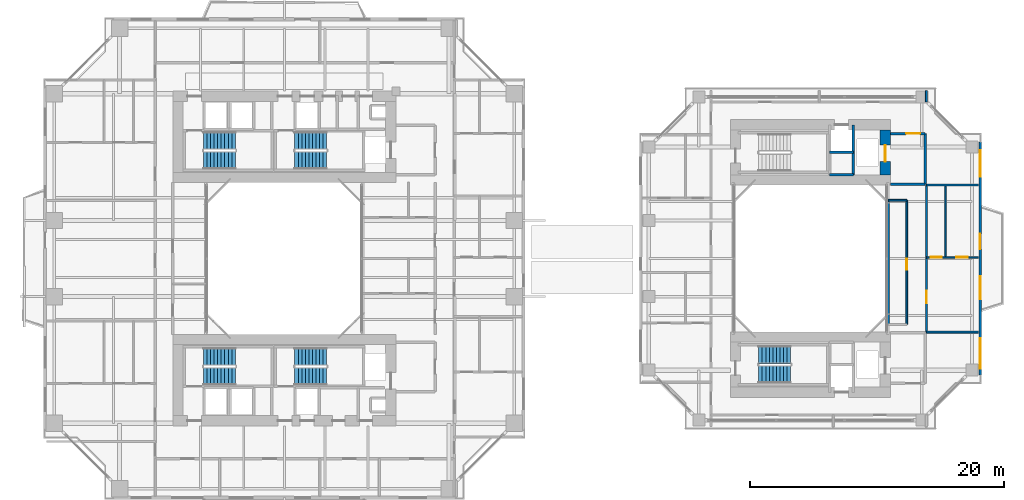
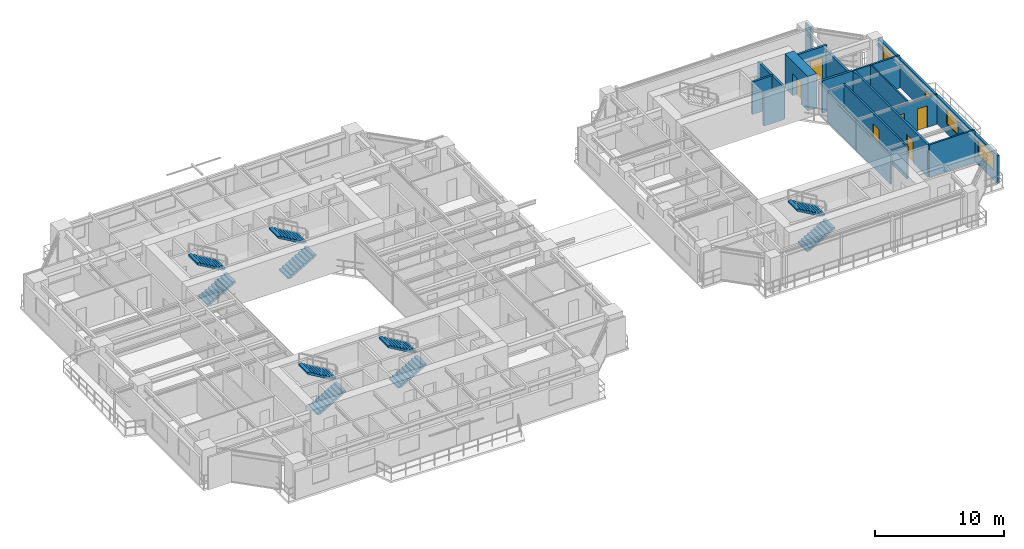
# One storey, part 17 of 23: 17 walls, 10 stair flights, 7 doors, 3 windows, 10 openings, 5 elements without a shape of their own.
"""IFC4 building model written with IfcOpenShell, lengths in metres."""

from ifc_helpers import new_model, si_unit, direction, frame, frame_2d, origin, place, context, subcontext, project, spatial, polyline, rectangle, outline, extrude, source, transform, mapped, material, layer, layer_set, type_object, element, fill, aggregate, save


model = new_model("IFC4")

# Units and contexts
model_context = context("Model", 3, precision=1e-05, world=origin(), true_north=direction((0.0, 1.0)))
body_context = subcontext(model_context, "Body", "Model", "MODEL_VIEW")
ifc_project = project(units=[si_unit("LENGTHUNIT", "METRE"), si_unit("AREAUNIT", "SQUARE_METRE"), si_unit("VOLUMEUNIT", "CUBIC_METRE"), si_unit("PLANEANGLEUNIT", "RADIAN"), si_unit("MASSUNIT", "GRAM", prefix="KILO"), si_unit("THERMODYNAMICTEMPERATUREUNIT", "KELVIN"), si_unit("POWERUNIT", "WATT")], contexts=[model_context])

# Site, building, storey
site_placement = place(None, origin())
site = spatial("IfcSite", under=ifc_project, at=site_placement, CompositionType="ELEMENT")
building_placement = place(site_placement, origin())
building = spatial("IfcBuilding", under=site, at=building_placement, Name="Qiaomeng Ring Towers", CompositionType="ELEMENT")
storey_placement = place(building_placement, frame((0.0, 0.0, 50.25)))
storey = spatial("IfcBuildingStorey", under=building, at=storey_placement, Name="L13", CompositionType="ELEMENT", Elevation=50.25)

# Wall, openings, windows, door
ifc_material_1 = material(Name="Precast concrete C40", Category="concrete")
ifc_layer_1 = layer(ifc_material_1, 0.219970703125, Name="Precast concrete C40")
ifc_layer_set_1 = layer_set([ifc_layer_1], Name="Precast concrete C40")
wall_type_1 = type_object("IfcWallType", Name="ARC-WL-EW2", PredefinedType="STANDARD", material=ifc_layer_set_1)
wall_1_placement = place(storey_placement, frame((73.889892578125, 13.800048828125, 0.0), z_axis=(0.0, 0.0, 1.0), x_axis=(0.0, 1.0, 0.0)))
wall_1 = element("IfcWall", 1, at=wall_1_placement, inside=storey, type_object=wall_type_1, Name="L13 Companion East Wall", PredefinedType="STANDARD", context=body_context, shape_type="SweptSolid", body=[
    extrude(rectangle(XDim=18.39990234375, YDim=0.219970703125, at=frame_2d((9.199951171875, 0.0))), origin(), (0.0, 0.0, 1.0), 2.610107421875),
])
opening_1_placement = place(wall_1_placement, frame((9.949951171875, 0.0, 0.0)))
opening_1 = element("IfcOpeningElement", 2, at=opening_1_placement, cuts=wall_1, Name="Opening BD1", PredefinedType="OPENING", context=body_context, shape_type="SweptSolid", body=[
    extrude(rectangle(XDim=1.199951171875, YDim=2.10009765625, at=frame_2d((0.60009765625, 1.050048828125))), frame((0.0, 0.119873046875, 0.0), z_axis=(0.0, -1.0, 0.0), x_axis=(1.0, 0.0, 0.0)), (0.0, 0.0, 1.0), 0.239990234375),
])
opening_2_placement = place(wall_1_placement, frame((0.507568359375, 0.0, 0.89990234375)))
opening_2 = element("IfcOpeningElement", 3, at=opening_2_placement, cuts=wall_1, Name="Opening WN6", PredefinedType="OPENING", context=body_context, shape_type="SweptSolid", body=[
    extrude(rectangle(XDim=2.39990234375, YDim=1.5, at=frame_2d((1.199951171875, 0.75))), frame((0.0, 0.119873046875, 0.0), z_axis=(0.0, -1.0, 0.0), x_axis=(1.0, 0.0, 0.0)), (0.0, 0.0, 1.0), 0.239990234375),
])
opening_3_placement = place(wall_1_placement, frame((6.0, 0.0, 0.89990234375)))
opening_3 = element("IfcOpeningElement", 4, at=opening_3_placement, cuts=wall_1, Name="Opening WN1", PredefinedType="OPENING", context=body_context, shape_type="SweptSolid", body=[
    extrude(rectangle(XDim=1.800048828125, YDim=1.449951171875, at=frame_2d((0.89990234375, 0.72509765625))), frame((0.0, 0.119873046875, 0.0), z_axis=(0.0, -1.0, 0.0), x_axis=(1.0, 0.0, 0.0)), (0.0, 0.0, 1.0), 0.239990234375),
])
opening_4_placement = place(wall_1_placement, frame((15.642578125, 0.0, 0.89990234375)))
opening_4 = element("IfcOpeningElement", 5, at=opening_4_placement, cuts=wall_1, Name="Opening WN4", PredefinedType="OPENING", context=body_context, shape_type="SweptSolid", body=[
    extrude(rectangle(XDim=2.10009765625, YDim=1.5, at=frame_2d((1.050048828125, 0.75))), frame((0.0, 0.119873046875, 0.0), z_axis=(0.0, -1.0, 0.0), x_axis=(1.0, 0.0, 0.0)), (0.0, 0.0, 1.0), 0.239990234375),
])
ifc_material_2 = material(Name="Low-E dark-grey laminated double glazing", Category="glass")
window_type_1 = type_object("IfcWindowType", Name="ARC-WN-4", PartitioningType="TRIPLE_PANEL_VERTICAL", PredefinedType="WINDOW", material=ifc_material_2)
shared_shape_1 = source(origin(), body_context, "Body", "SweptSolid", [
    extrude(rectangle(XDim=2.10009765625, YDim=1.5, at=frame_2d((1.050048828125, 0.75))), frame((0.0, 0.030029296875, 0.0), z_axis=(0.0, -1.0, 0.0), x_axis=(1.0, 0.0, 0.0)), (0.0, 0.0, 1.0), 0.06005859375),
])
window_1_placement = place(opening_4_placement, origin())
window_1 = element("IfcWindow", 6, at=window_1_placement, inside=storey, type_object=window_type_1, Name="L13 Exterior Window WN4", OverallHeight=1.5, OverallWidth=2.10009765625, PartitioningType="TRIPLE_PANEL_VERTICAL", PredefinedType="WINDOW", context=body_context, shape_type="MappedRepresentation", body=[
    mapped(shared_shape_1, transform((0.0, 0.0, 0.0), x_axis=(1.0, 0.0, 0.0), y_axis=(0.0, 1.0, 0.0), z_axis=(0.0, 0.0, 1.0), scale=1.0)),
])
fill(opening_4, window_1)
window_type_2 = type_object("IfcWindowType", Name="ARC-WN-1", PartitioningType="DOUBLE_PANEL_VERTICAL", PredefinedType="WINDOW", material=ifc_material_2)
shared_shape_2 = source(origin(), body_context, "Body", "SweptSolid", [
    extrude(rectangle(XDim=1.800048828125, YDim=1.449951171875, at=frame_2d((0.89990234375, 0.72509765625))), frame((0.0, 0.030029296875, 0.0), z_axis=(0.0, -1.0, 0.0), x_axis=(1.0, 0.0, 0.0)), (0.0, 0.0, 1.0), 0.06005859375),
])
window_2_placement = place(opening_3_placement, origin())
window_2 = element("IfcWindow", 7, at=window_2_placement, inside=storey, type_object=window_type_2, Name="L13 Exterior Window WN1", OverallHeight=1.449951171875, OverallWidth=1.800048828125, PartitioningType="DOUBLE_PANEL_VERTICAL", PredefinedType="WINDOW", context=body_context, shape_type="MappedRepresentation", body=[
    mapped(shared_shape_2, transform((0.0, 0.0, 0.0), x_axis=(1.0, 0.0, 0.0), y_axis=(0.0, 1.0, 0.0), z_axis=(0.0, 0.0, 1.0), scale=1.0)),
])
fill(opening_3, window_2)
door_type_1 = type_object("IfcDoorType", Name="ARC-DR-BD1", OperationType="NOTDEFINED", PredefinedType="DOOR", material=ifc_material_2)
shared_shape_3 = source(origin(), body_context, "Body", "SweptSolid", [
    extrude(rectangle(XDim=1.199951171875, YDim=2.10009765625, at=frame_2d((0.60009765625, 1.050048828125))), frame((0.0, 0.02490234375, 0.0), z_axis=(0.0, -1.0, 0.0), x_axis=(1.0, 0.0, 0.0)), (0.0, 0.0, 1.0), 0.050048828125),
])
door_1_placement = place(opening_1_placement, origin())
door_1 = element("IfcDoor", 8, at=door_1_placement, inside=storey, type_object=door_type_1, Name="L13 Companion East Balcony Door", OperationType="SINGLE_SWING_LEFT", OverallHeight=2.10009765625, OverallWidth=1.199951171875, PredefinedType="DOOR", context=body_context, shape_type="MappedRepresentation", body=[
    mapped(shared_shape_3, transform((0.0, 0.0, 0.0), x_axis=(1.0, 0.0, 0.0), y_axis=(0.0, 1.0, 0.0), z_axis=(0.0, 0.0, 1.0), scale=1.0)),
])
fill(opening_1, door_1)
window_type_3 = type_object("IfcWindowType", Name="ARC-WN-6", PartitioningType="TRIPLE_PANEL_VERTICAL", PredefinedType="WINDOW", material=ifc_material_2)
shared_shape_4 = source(origin(), body_context, "Body", "SweptSolid", [
    extrude(rectangle(XDim=2.39990234375, YDim=1.5, at=frame_2d((1.199951171875, 0.75))), frame((0.0, 0.030029296875, 0.0), z_axis=(0.0, -1.0, 0.0), x_axis=(1.0, 0.0, 0.0)), (0.0, 0.0, 1.0), 0.06005859375),
])
window_3_placement = place(opening_2_placement, origin())
window_3 = element("IfcWindow", 9, at=window_3_placement, inside=storey, type_object=window_type_3, Name="L13 Exterior Window WN6", OverallHeight=1.5, OverallWidth=2.39990234375, PartitioningType="TRIPLE_PANEL_VERTICAL", PredefinedType="WINDOW", context=body_context, shape_type="MappedRepresentation", body=[
    mapped(shared_shape_4, transform((0.0, 0.0, 0.0), x_axis=(1.0, 0.0, 0.0), y_axis=(0.0, 1.0, 0.0), z_axis=(0.0, 0.0, 1.0), scale=1.0)),
])
fill(opening_2, window_3)

# Walls
ifc_material_3 = material(Name="Autoclaved aerated concrete block", Category="concrete")
ifc_layer_2 = layer(ifc_material_3, 0.199951171875, Name="Autoclaved aerated concrete block")
ifc_layer_set_2 = layer_set([ifc_layer_2], Name="Autoclaved aerated concrete block")
wall_type_2 = type_object("IfcWallType", Name="ARC-WL-PW1", PredefinedType="PARTITIONING", material=ifc_layer_set_2)
wall_2_placement = place(storey_placement, frame((66.800048828125, 28.85009765625, 0.0), z_axis=(0.0, 0.0, 1.0), x_axis=(1.0, 0.0, 0.0)))
element("IfcWall", 10, at=wall_2_placement, inside=storey, type_object=wall_type_2, Name="L13 Interior Wall PW1", PredefinedType="PARTITIONING", context=body_context, shape_type="SweptSolid", body=[
    extrude(rectangle(XDim=2.75, YDim=0.199951171875, at=frame_2d((1.375, 0.0))), origin(), (0.0, 0.0, 1.0), 3.070068359375),
])
wall_3_placement = place(storey_placement, frame((69.550048828125, 28.85009765625, 0.0), z_axis=(0.0, 0.0, 1.0), x_axis=(0.0, 1.0, 0.0)))
element("IfcWall", 11, at=wall_3_placement, inside=storey, type_object=wall_type_2, Name="L13 Interior Wall PW1", PredefinedType="PARTITIONING", context=body_context, shape_type="SweptSolid", body=[
    extrude(rectangle(XDim=4.0, YDim=0.199951171875, at=frame_2d((2.0, 0.0))), origin(), (0.0, 0.0, 1.0), 2.614990234375),
])

# Wall, opening, door
wall_4_placement = place(storey_placement, frame((66.800048828125, 32.85009765625, 0.0), z_axis=(0.0, 0.0, 1.0), x_axis=(1.0, 0.0, 0.0)))
wall_4 = element("IfcWall", 12, at=wall_4_placement, inside=storey, type_object=wall_type_2, Name="L13 Interior Wall PW1", PredefinedType="PARTITIONING", context=body_context, shape_type="SweptSolid", body=[
    extrude(rectangle(XDim=2.75, YDim=0.199951171875, at=frame_2d((1.375, 0.0))), origin(), (0.0, 0.0, 1.0), 3.070068359375),
])
opening_5_placement = place(wall_4_placement, frame((1.25, 0.0, 0.0)))
opening_5 = element("IfcOpeningElement", 13, at=opening_5_placement, cuts=wall_4, Name="Opening FD3", PredefinedType="OPENING", context=body_context, shape_type="SweptSolid", body=[
    extrude(rectangle(XDim=1.10009765625, YDim=2.050048828125, at=frame_2d((0.550048828125, 1.02490234375))), frame((0.0, 0.10986328125, 0.0), z_axis=(0.0, -1.0, 0.0), x_axis=(1.0, 0.0, 0.0)), (0.0, 0.0, 1.0), 0.219970703125),
])
ifc_material_4 = material(Name="Galvanised steel", Category="steel")
door_type_2 = type_object("IfcDoorType", Name="ARC-DR-FD3", OperationType="NOTDEFINED", PredefinedType="DOOR", material=ifc_material_4)
shared_shape_5 = source(origin(), body_context, "Body", "SweptSolid", [
    extrude(rectangle(XDim=1.10009765625, YDim=2.050048828125, at=frame_2d((0.550048828125, 1.02490234375))), frame((0.0, 0.02490234375, 0.0), z_axis=(0.0, -1.0, 0.0), x_axis=(1.0, 0.0, 0.0)), (0.0, 0.0, 1.0), 0.050048828125),
])
door_2_placement = place(opening_5_placement, origin())
door_2 = element("IfcDoor", 14, at=door_2_placement, inside=storey, type_object=door_type_2, Name="L13 Door FD3", OperationType="SINGLE_SWING_LEFT", OverallHeight=2.050048828125, OverallWidth=1.10009765625, PredefinedType="DOOR", context=body_context, shape_type="MappedRepresentation", body=[
    mapped(shared_shape_5, transform((0.0, 0.0, 0.0), x_axis=(1.0, 0.0, 0.0), y_axis=(0.0, 1.0, 0.0), z_axis=(0.0, 0.0, 1.0), scale=1.0)),
])
fill(opening_5, door_2)

ifc_layer_3 = layer(ifc_material_3, 0.179931640625, Name="Autoclaved aerated concrete block")
ifc_layer_set_3 = layer_set([ifc_layer_3], Name="Autoclaved aerated concrete block")
wall_type_3 = type_object("IfcWallType", Name="ARC-WL-PW2", PredefinedType="PARTITIONING", material=ifc_layer_set_3)
wall_5_placement = place(storey_placement, frame((69.64990234375, 17.199951171875, 0.0), z_axis=(0.0, 0.0, 1.0), x_axis=(0.0, 1.0, 0.0)))
wall_5 = element("IfcWall", 15, at=wall_5_placement, inside=storey, type_object=wall_type_3, Name="L13 Interior Wall PW2", PredefinedType="PARTITIONING", context=body_context, shape_type="SweptSolid", body=[
    extrude(rectangle(XDim=11.60009765625, YDim=0.179931640625, at=frame_2d((5.800048828125, 0.0))), origin(), (0.0, 0.0, 1.0), 3.070068359375),
])
opening_6_placement = place(wall_5_placement, frame((2.260009765625, 0.0, 0.0)))
opening_6 = element("IfcOpeningElement", 16, at=opening_6_placement, cuts=wall_5, Name="Opening FD4", PredefinedType="OPENING", context=body_context, shape_type="SweptSolid", body=[
    extrude(rectangle(XDim=1.0, YDim=2.050048828125, at=frame_2d((0.5, 1.02490234375))), frame((0.0, 0.099853515625, 0.0), z_axis=(0.0, -1.0, 0.0), x_axis=(1.0, 0.0, 0.0)), (0.0, 0.0, 1.0), 0.199951171875),
])
ifc_material_5 = material(Name="Engineered fire-rated oak timber", Category="wood")
door_type_3 = type_object("IfcDoorType", Name="ARC-DR-FD4", OperationType="NOTDEFINED", PredefinedType="DOOR", material=ifc_material_5)
shared_shape_6 = source(origin(), body_context, "Body", "SweptSolid", [
    extrude(rectangle(XDim=1.0, YDim=2.050048828125, at=frame_2d((0.5, 1.02490234375))), frame((0.0, 0.02490234375, 0.0), z_axis=(0.0, -1.0, 0.0), x_axis=(1.0, 0.0, 0.0)), (0.0, 0.0, 1.0), 0.050048828125),
])
door_3_placement = place(opening_6_placement, origin())
door_3 = element("IfcDoor", 17, at=door_3_placement, inside=storey, type_object=door_type_3, Name="L13 Door FD4", OperationType="SINGLE_SWING_LEFT", OverallHeight=2.050048828125, OverallWidth=1.0, PredefinedType="DOOR", context=body_context, shape_type="MappedRepresentation", body=[
    mapped(shared_shape_6, transform((0.0, 0.0, 0.0), x_axis=(1.0, 0.0, 0.0), y_axis=(0.0, 1.0, 0.0), z_axis=(0.0, 0.0, 1.0), scale=1.0)),
])
fill(opening_6, door_3)

# Walls
ifc_material_6 = material(Name="Gypsum fireboard steel-stud partition", Category="steel")
ifc_layer_4 = layer(ifc_material_6, 0.14990234375, Name="Gypsum fireboard steel-stud partition")
ifc_layer_set_4 = layer_set([ifc_layer_4], Name="Gypsum fireboard steel-stud partition")
wall_type_4 = type_object("IfcWallType", Name="ARC-WL-PW3", PredefinedType="PARTITIONING", material=ifc_layer_set_4)
for number, where, z_axis, x_axis, name in (
    (18, (69.64990234375, 17.199951171875, 0.0), (0.0, 0.0, 1.0), (1.0, 0.0, 0.0), "L13 Interior Wall PW3"),
    (19, (69.64990234375, 28.800048828125, 0.0), (0.0, 0.0, 1.0), (1.0, 0.0, 0.0), "L13 Interior Wall PW3"),
):
    element("IfcWall", number, at=place(storey_placement, frame(where, z_axis=z_axis, x_axis=x_axis)), inside=storey, type_object=wall_type_4, Name=name, PredefinedType="PARTITIONING", context=body_context, shape_type="SweptSolid", body=[
        extrude(rectangle(XDim=4.10009765625, YDim=0.14990234375, at=frame_2d((2.050048828125, 0.0))), origin(), (0.0, 0.0, 1.0), 3.070068359375),
    ])

# Wall, opening, door
wall_6_placement = place(storey_placement, frame((68.10009765625, 17.800048828125, 0.0), z_axis=(0.0, 0.0, 1.0), x_axis=(0.0, 1.0, 0.0)))
wall_6 = element("IfcWall", 20, at=wall_6_placement, inside=storey, type_object=wall_type_4, Name="L13 Interior Wall PW3", PredefinedType="PARTITIONING", context=body_context, shape_type="SweptSolid", body=[
    extrude(rectangle(XDim=9.800048828125, YDim=0.14990234375, at=frame_2d((4.89990234375, 0.0))), origin(), (0.0, 0.0, 1.0), 3.070068359375),
])
opening_7_placement = place(wall_6_placement, frame((4.300048828125, 0.0, 0.0)))
opening_7 = element("IfcOpeningElement", 21, at=opening_7_placement, cuts=wall_6, Name="Opening ID1", PredefinedType="OPENING", context=body_context, shape_type="SweptSolid", body=[
    extrude(rectangle(XDim=0.89990234375, YDim=2.050048828125, at=frame_2d((0.449951171875, 1.02490234375))), frame((0.0, 0.0849609375, 0.0), z_axis=(0.0, -1.0, 0.0), x_axis=(1.0, 0.0, 0.0)), (0.0, 0.0, 1.0), 0.169921875),
])
ifc_material_7 = material(Name="Engineered oak timber", Category="wood")
door_type_4 = type_object("IfcDoorType", Name="ARC-DR-ID1", OperationType="NOTDEFINED", PredefinedType="DOOR", material=ifc_material_7)
shared_shape_7 = source(origin(), body_context, "Body", "SweptSolid", [
    extrude(rectangle(XDim=0.89990234375, YDim=2.050048828125, at=frame_2d((0.449951171875, 1.02490234375))), frame((0.0, 0.02490234375, 0.0), z_axis=(0.0, -1.0, 0.0), x_axis=(1.0, 0.0, 0.0)), (0.0, 0.0, 1.0), 0.050048828125),
])
door_4_placement = place(opening_7_placement, origin())
door_4 = element("IfcDoor", 22, at=door_4_placement, inside=storey, type_object=door_type_4, Name="L13 Door ID1", OperationType="SINGLE_SWING_RIGHT", OverallHeight=2.050048828125, OverallWidth=0.89990234375, PredefinedType="DOOR", context=body_context, shape_type="MappedRepresentation", body=[
    mapped(shared_shape_7, transform((0.0, 0.0, 0.0), x_axis=(1.0, 0.0, 0.0), y_axis=(0.0, 1.0, 0.0), z_axis=(0.0, 0.0, 1.0), scale=1.0)),
])
fill(opening_7, door_4)

# Walls
wall_7_placement = place(storey_placement, frame((66.64990234375, 27.60009765625, 0.0), z_axis=(0.0, 0.0, 1.0), x_axis=(1.0, 0.0, 0.0)))
element("IfcWall", 23, at=wall_7_placement, inside=storey, type_object=wall_type_4, Name="L13 Interior Wall PW3", PredefinedType="PARTITIONING", context=body_context, shape_type="SweptSolid", body=[
    extrude(rectangle(XDim=1.4501953125, YDim=0.14990234375, at=frame_2d((0.72509765625, 0.0))), origin(), (0.0, 0.0, 1.0), 2.821044921875),
])
wall_8_placement = place(storey_placement, frame((66.64990234375, 17.800048828125, 0.0), z_axis=(0.0, 0.0, 1.0), x_axis=(0.0, 1.0, 0.0)))
element("IfcWall", 24, at=wall_8_placement, inside=storey, type_object=wall_type_4, Name="L13 Interior Wall PW3", PredefinedType="PARTITIONING", context=body_context, shape_type="SweptSolid", body=[
    extrude(rectangle(XDim=9.800048828125, YDim=0.14990234375, at=frame_2d((4.89990234375, 0.0))), origin(), (0.0, 0.0, 1.0), 2.6650390625),
])
wall_9_placement = place(storey_placement, frame((69.64990234375, 35.35009765625, 0.0), z_axis=(0.0, 0.0, 1.0), x_axis=(0.0, 1.0, 0.0)))
element("IfcWall", 25, at=wall_9_placement, inside=storey, type_object=wall_type_4, Name="L13 Interior Wall PW3", PredefinedType="PARTITIONING", context=body_context, shape_type="SweptSolid", body=[
    extrude(rectangle(XDim=0.89990234375, YDim=0.14990234375, at=frame_2d((0.449951171875, 0.0))), origin(), (0.0, 0.0, 1.0), 3.070068359375),
])

# Wall, openings, doors
ifc_material_8 = material(Name="Moisture-resistant gypsum steel-stud partition", Category="steel")
ifc_layer_5 = layer(ifc_material_8, 0.1201171875, Name="Moisture-resistant gypsum steel-stud partition")
ifc_layer_set_5 = layer_set([ifc_layer_5], Name="Moisture-resistant gypsum steel-stud partition")
wall_type_5 = type_object("IfcWallType", Name="ARC-WL-PW4", PredefinedType="PLUMBINGWALL", material=ifc_layer_set_5)
wall_10_placement = place(storey_placement, frame((69.64990234375, 23.10009765625, 0.0), z_axis=(0.0, 0.0, 1.0), x_axis=(1.0, 0.0, 0.0)))
wall_10 = element("IfcWall", 26, at=wall_10_placement, inside=storey, type_object=wall_type_5, Name="L13 Interior Wall PW4", PredefinedType="PLUMBINGWALL", context=body_context, shape_type="SweptSolid", body=[
    extrude(rectangle(XDim=4.10009765625, YDim=0.1201171875, at=frame_2d((2.050048828125, 0.0))), origin(), (0.0, 0.0, 1.0), 2.821044921875),
])
opening_8_placement = place(wall_10_placement, frame((0.344970703125, 0.0, 0.0)))
opening_8 = element("IfcOpeningElement", 27, at=opening_8_placement, cuts=wall_10, Name="Opening ID2", PredefinedType="OPENING", context=body_context, shape_type="SweptSolid", body=[
    extrude(rectangle(XDim=0.85009765625, YDim=2.050048828125, at=frame_2d((0.425048828125, 1.02490234375))), frame((0.0, 0.070068359375, 0.0), z_axis=(0.0, -1.0, 0.0), x_axis=(1.0, 0.0, 0.0)), (0.0, 0.0, 1.0), 0.14013671875),
])
opening_9_placement = place(wall_10_placement, frame((2.35009765625, 0.0, 0.0)))
opening_9 = element("IfcOpeningElement", 28, at=opening_9_placement, cuts=wall_10, Name="Opening ID1", PredefinedType="OPENING", context=body_context, shape_type="SweptSolid", body=[
    extrude(rectangle(XDim=0.89990234375, YDim=2.050048828125, at=frame_2d((0.449951171875, 1.02490234375))), frame((0.0, 0.070068359375, 0.0), z_axis=(0.0, -1.0, 0.0), x_axis=(1.0, 0.0, 0.0)), (0.0, 0.0, 1.0), 0.14013671875),
])
ifc_material_9 = material(Name="Moisture-resistant engineered timber", Category="wood")
door_type_5 = type_object("IfcDoorType", Name="ARC-DR-ID2", OperationType="NOTDEFINED", PredefinedType="DOOR", material=ifc_material_9)
shared_shape_8 = source(origin(), body_context, "Body", "SweptSolid", [
    extrude(rectangle(XDim=0.85009765625, YDim=2.050048828125, at=frame_2d((0.425048828125, 1.02490234375))), frame((0.0, 0.02490234375, 0.0), z_axis=(0.0, -1.0, 0.0), x_axis=(1.0, 0.0, 0.0)), (0.0, 0.0, 1.0), 0.050048828125),
])
door_5_placement = place(opening_8_placement, origin())
door_5 = element("IfcDoor", 29, at=door_5_placement, inside=storey, type_object=door_type_5, Name="L13 Door ID2", OperationType="SINGLE_SWING_LEFT", OverallHeight=2.050048828125, OverallWidth=0.85009765625, PredefinedType="DOOR", context=body_context, shape_type="MappedRepresentation", body=[
    mapped(shared_shape_8, transform((0.0, 0.0, 0.0), x_axis=(1.0, 0.0, 0.0), y_axis=(0.0, 1.0, 0.0), z_axis=(0.0, 0.0, 1.0), scale=1.0)),
])
fill(opening_8, door_5)
door_6_placement = place(opening_9_placement, origin())
door_6 = element("IfcDoor", 30, at=door_6_placement, inside=storey, type_object=door_type_4, Name="L13 Door ID1", OperationType="SINGLE_SWING_RIGHT", OverallHeight=2.050048828125, OverallWidth=0.89990234375, PredefinedType="DOOR", context=body_context, shape_type="MappedRepresentation", body=[
    mapped(shared_shape_7, transform((0.0, 0.0, 0.0), x_axis=(1.0, 0.0, 0.0), y_axis=(0.0, 1.0, 0.0), z_axis=(0.0, 0.0, 1.0), scale=1.0)),
])
fill(opening_9, door_6)

# Walls
wall_11_placement = place(storey_placement, frame((71.169921875, 23.10009765625, 0.0), z_axis=(0.0, 0.0, 1.0), x_axis=(0.0, 1.0, 0.0)))
element("IfcWall", 31, at=wall_11_placement, inside=storey, type_object=wall_type_5, Name="L13 Interior Wall PW4", PredefinedType="PLUMBINGWALL", context=body_context, shape_type="SweptSolid", body=[
    extrude(rectangle(XDim=5.699951171875, YDim=0.1201171875, at=frame_2d((2.85009765625, 0.0))), origin(), (0.0, 0.0, 1.0), 3.070068359375),
])
ifc_material_10 = material(Name="Concrete C40", Category="concrete")
ifc_layer_6 = layer(ifc_material_10, 0.199951171875, Name="Concrete C40")
ifc_layer_set_6 = layer_set([ifc_layer_6], Name="Concrete C40")
wall_type_6 = type_object("IfcWallType", Name="STR-WL-STSHAFT", PredefinedType="SHEAR", material=ifc_layer_set_6)
wall_12_placement = place(storey_placement, frame((63.8798828125, 29.60009765625, 0.0), z_axis=(0.0, 0.0, 1.0), x_axis=(0.0, 1.0, 0.0)))
element("IfcWall", 32, at=wall_12_placement, inside=storey, type_object=wall_type_6, Name="L13 Companion Lift Shaft East Wall N", PredefinedType="SHEAR", context=body_context, shape_type="SweptSolid", body=[
    extrude(rectangle(XDim=3.949951171875, YDim=0.179931640625, at=frame_2d((1.97509765625, 0.0))), origin(), (0.0, 0.0, 1.0), 3.070068359375),
])
for number, where, z_axis, x_axis, name in (
    (33, (62.02001953125, 31.3798828125, 0.0), (0.0, 0.0, 1.0), (1.0, 0.0, 0.0), "L13 Companion Lift Shaft Divider Wall N"),
    (34, (62.02001953125, 29.60009765625, 0.0), (0.0, 0.0, 1.0), (1.0, 0.0, 0.0), "L13 Companion Riser Shaft Back Wall N"),
):
    element("IfcWall", number, at=place(storey_placement, frame(where, z_axis=z_axis, x_axis=x_axis)), inside=storey, type_object=wall_type_6, Name=name, PredefinedType="SHEAR", context=body_context, shape_type="SweptSolid", body=[
        extrude(rectangle(XDim=1.85986328125, YDim=0.179931640625, at=frame_2d((0.929931640625, 0.0))), origin(), (0.0, 0.0, 1.0), 3.070068359375),
    ])

# Wall, opening, door
ifc_material_11 = material(Name="Concrete C60", Category="concrete")
ifc_layer_7 = layer(ifc_material_11, 0.800048828125, Name="Concrete C60")
ifc_layer_set_7 = layer_set([ifc_layer_7], Name="Concrete C60")
wall_type_7 = type_object("IfcWallType", Name="STR-WL-SW1", PredefinedType="SHEAR", material=ifc_layer_set_7)
wall_13_placement = place(storey_placement, frame((66.39990234375, 29.60009765625, 0.0), z_axis=(0.0, 0.0, 1.0), x_axis=(0.0, 1.0, 0.0)))
wall_13 = element("IfcWall", 35, at=wall_13_placement, inside=storey, type_object=wall_type_7, Name="L13 T2NC east core shear wall", PredefinedType="SHEAR", context=body_context, shape_type="SweptSolid", body=[
    extrude(rectangle(XDim=3.5498046875, YDim=0.800048828125, at=frame_2d((1.77490234375, 0.0))), origin(), (0.0, 0.0, 1.0), 3.25),
])
opening_10_placement = place(wall_13_placement, frame((1.050048828125, 0.0, 0.0)))
opening_10 = element("IfcOpeningElement", 36, at=opening_10_placement, cuts=wall_13, Name="Opening LD2", PredefinedType="OPENING", context=body_context, shape_type="SweptSolid", body=[
    extrude(rectangle(XDim=1.300048828125, YDim=2.050048828125, at=frame_2d((0.64990234375, 1.02490234375))), frame((0.0, 0.409912109375, 0.0), z_axis=(0.0, -1.0, 0.0), x_axis=(1.0, 0.0, 0.0)), (0.0, 0.0, 1.0), 0.820068359375),
])
ifc_material_12 = material(Name="Stainless steel 316", Category="steel")
door_type_6 = type_object("IfcDoorType", Name="ARC-DR-LD2", OperationType="NOTDEFINED", PredefinedType="DOOR", material=ifc_material_12)
shared_shape_9 = source(origin(), body_context, "Body", "SweptSolid", [
    extrude(rectangle(XDim=1.300048828125, YDim=2.050048828125, at=frame_2d((0.64990234375, 1.02490234375))), frame((0.0, 0.02490234375, 0.0), z_axis=(0.0, -1.0, 0.0), x_axis=(1.0, 0.0, 0.0)), (0.0, 0.0, 1.0), 0.050048828125),
])
door_7_placement = place(opening_10_placement, origin())
door_7 = element("IfcDoor", 37, at=door_7_placement, inside=storey, type_object=door_type_6, Name="L13 Firefighting Lift FL3 Landing Door", OperationType="SLIDING_TO_LEFT", OverallHeight=2.050048828125, OverallWidth=1.300048828125, PredefinedType="DOOR", context=body_context, shape_type="MappedRepresentation", body=[
    mapped(shared_shape_9, transform((0.0, 0.0, 0.0), x_axis=(1.0, 0.0, 0.0), y_axis=(0.0, 1.0, 0.0), z_axis=(0.0, 0.0, 1.0), scale=1.0)),
])
fill(opening_10, door_7)

# Stair, stair flights
stair_type = type_object("IfcStairType", Name="ARC-ST-325", PredefinedType="HALF_TURN_STAIR", material=ifc_material_1)
stair_1_placement = place(storey_placement, origin())
stair_1 = element("IfcStair", 38, at=stair_1_placement, inside=storey, type_object=stair_type, Name="L13 Tower 1 North Stair 1", PredefinedType="HALF_TURN_STAIR")
stair_flight_type = type_object("IfcStairFlightType", Name="ARC-ST-325-FL", PredefinedType="STRAIGHT", material=ifc_material_1)
shared_shape_10 = source(origin(), body_context, "Body", "SweptSolid", [
    extrude(outline(polyline([(0.0, 0.0), (0.0, 0.16259765625), (0.280029296875, 0.16259765625), (0.280029296875, 0.324951171875), (0.56005859375, 0.324951171875), (0.56005859375, 0.487548828125), (0.840087890625, 0.487548828125), (0.840087890625, 0.64990234375), (1.1201171875, 0.64990234375), (1.1201171875, 0.8125), (1.39990234375, 0.8125), (1.39990234375, 0.97509765625), (1.679931640625, 0.97509765625), (1.679931640625, 1.137451171875), (1.9599609375, 1.137451171875), (1.9599609375, 1.300048828125), (2.239990234375, 1.300048828125), (2.239990234375, 1.46240234375), (2.52001953125, 1.46240234375), (2.52001953125, 1.625), (2.52001953125, 1.2890625), (0.298583984375, 0.0), (0.0, 0.0)])), frame((0.0, 0.699951171875, 0.0), z_axis=(0.0, -1.0, 0.0), x_axis=(1.0, 0.0, 0.0)), (0.0, 0.0, 1.0), 1.39990234375),
])
stair_flight_1_placement = place(storey_placement, frame((12.6201171875, 30.75, 0.0), z_axis=(0.0, 0.0, 1.0), x_axis=(1.0, 0.0, 0.0)))
stair_flight_1 = element("IfcStairFlight", 39, at=stair_flight_1_placement, type_object=stair_flight_type, Name="ST1 flight 1", NumberOfRisers=10, NumberOfTreads=9, PredefinedType="STRAIGHT", RiserHeight=0.1625, TreadLength=0.28, context=body_context, shape_type="MappedRepresentation", body=[
    mapped(shared_shape_10, transform((0.0, 0.0, 0.0), x_axis=(1.0, 0.0, 0.0), y_axis=(0.0, 1.0, 0.0), z_axis=(0.0, 0.0, 1.0), scale=1.0)),
])
stair_flight_2_placement = place(storey_placement, frame((15.139892578125, 32.2900390625, 1.625), z_axis=(0.0, 0.0, 1.0), x_axis=(-1.0, 0.0, 0.0)))
stair_flight_2 = element("IfcStairFlight", 40, at=stair_flight_2_placement, type_object=stair_flight_type, Name="ST1 flight 2", NumberOfRisers=10, NumberOfTreads=9, PredefinedType="STRAIGHT", RiserHeight=0.1625, TreadLength=0.28, context=body_context, shape_type="MappedRepresentation", body=[
    mapped(shared_shape_10, transform((0.0, 0.0, 0.0), x_axis=(1.0, 0.0, 0.0), y_axis=(0.0, 1.0, 0.0), z_axis=(0.0, 0.0, 1.0), scale=1.0)),
])
aggregate(stair_1, [stair_flight_1, stair_flight_2])

stair_2_placement = place(storey_placement, origin())
stair_2 = element("IfcStair", 41, at=stair_2_placement, inside=storey, type_object=stair_type, Name="L13 Tower 1 North Stair 2", PredefinedType="HALF_TURN_STAIR")
stair_flight_3_placement = place(storey_placement, frame((19.820068359375, 30.75, 0.0), z_axis=(0.0, 0.0, 1.0), x_axis=(1.0, 0.0, 0.0)))
stair_flight_3 = element("IfcStairFlight", 42, at=stair_flight_3_placement, type_object=stair_flight_type, Name="ST2 flight 1", NumberOfRisers=10, NumberOfTreads=9, PredefinedType="STRAIGHT", RiserHeight=0.1625, TreadLength=0.28, context=body_context, shape_type="MappedRepresentation", body=[
    mapped(shared_shape_10, transform((0.0, 0.0, 0.0), x_axis=(1.0, 0.0, 0.0), y_axis=(0.0, 1.0, 0.0), z_axis=(0.0, 0.0, 1.0), scale=1.0)),
])
stair_flight_4_placement = place(storey_placement, frame((22.340087890625, 32.2900390625, 1.625), z_axis=(0.0, 0.0, 1.0), x_axis=(-1.0, 0.0, 0.0)))
stair_flight_4 = element("IfcStairFlight", 43, at=stair_flight_4_placement, type_object=stair_flight_type, Name="ST2 flight 2", NumberOfRisers=10, NumberOfTreads=9, PredefinedType="STRAIGHT", RiserHeight=0.1625, TreadLength=0.28, context=body_context, shape_type="MappedRepresentation", body=[
    mapped(shared_shape_10, transform((0.0, 0.0, 0.0), x_axis=(1.0, 0.0, 0.0), y_axis=(0.0, 1.0, 0.0), z_axis=(0.0, 0.0, 1.0), scale=1.0)),
])
aggregate(stair_2, [stair_flight_3, stair_flight_4])

stair_3_placement = place(storey_placement, origin())
stair_3 = element("IfcStair", 44, at=stair_3_placement, inside=storey, type_object=stair_type, Name="L13 Tower 1 South Stair 3", PredefinedType="HALF_TURN_STAIR")
stair_flight_5_placement = place(storey_placement, frame((12.6201171875, 13.7099609375, 0.0), z_axis=(0.0, 0.0, 1.0), x_axis=(1.0, 0.0, 0.0)))
stair_flight_5 = element("IfcStairFlight", 45, at=stair_flight_5_placement, type_object=stair_flight_type, Name="ST3 flight 1", NumberOfRisers=10, NumberOfTreads=9, PredefinedType="STRAIGHT", RiserHeight=0.1625, TreadLength=0.28, context=body_context, shape_type="MappedRepresentation", body=[
    mapped(shared_shape_10, transform((0.0, 0.0, 0.0), x_axis=(1.0, 0.0, 0.0), y_axis=(0.0, 1.0, 0.0), z_axis=(0.0, 0.0, 1.0), scale=1.0)),
])
stair_flight_6_placement = place(storey_placement, frame((15.139892578125, 15.25, 1.625), z_axis=(0.0, 0.0, 1.0), x_axis=(-1.0, 0.0, 0.0)))
stair_flight_6 = element("IfcStairFlight", 46, at=stair_flight_6_placement, type_object=stair_flight_type, Name="ST3 flight 2", NumberOfRisers=10, NumberOfTreads=9, PredefinedType="STRAIGHT", RiserHeight=0.1625, TreadLength=0.28, context=body_context, shape_type="MappedRepresentation", body=[
    mapped(shared_shape_10, transform((0.0, 0.0, 0.0), x_axis=(1.0, 0.0, 0.0), y_axis=(0.0, 1.0, 0.0), z_axis=(0.0, 0.0, 1.0), scale=1.0)),
])
aggregate(stair_3, [stair_flight_5, stair_flight_6])

stair_4_placement = place(storey_placement, origin())
stair_4 = element("IfcStair", 47, at=stair_4_placement, inside=storey, type_object=stair_type, Name="L13 Tower 1 South Stair 4", PredefinedType="HALF_TURN_STAIR")
stair_flight_7_placement = place(storey_placement, frame((19.820068359375, 13.7099609375, 0.0), z_axis=(0.0, 0.0, 1.0), x_axis=(1.0, 0.0, 0.0)))
stair_flight_7 = element("IfcStairFlight", 48, at=stair_flight_7_placement, type_object=stair_flight_type, Name="ST4 flight 1", NumberOfRisers=10, NumberOfTreads=9, PredefinedType="STRAIGHT", RiserHeight=0.1625, TreadLength=0.28, context=body_context, shape_type="MappedRepresentation", body=[
    mapped(shared_shape_10, transform((0.0, 0.0, 0.0), x_axis=(1.0, 0.0, 0.0), y_axis=(0.0, 1.0, 0.0), z_axis=(0.0, 0.0, 1.0), scale=1.0)),
])
stair_flight_8_placement = place(storey_placement, frame((22.340087890625, 15.25, 1.625), z_axis=(0.0, 0.0, 1.0), x_axis=(-1.0, 0.0, 0.0)))
stair_flight_8 = element("IfcStairFlight", 49, at=stair_flight_8_placement, type_object=stair_flight_type, Name="ST4 flight 2", NumberOfRisers=10, NumberOfTreads=9, PredefinedType="STRAIGHT", RiserHeight=0.1625, TreadLength=0.28, context=body_context, shape_type="MappedRepresentation", body=[
    mapped(shared_shape_10, transform((0.0, 0.0, 0.0), x_axis=(1.0, 0.0, 0.0), y_axis=(0.0, 1.0, 0.0), z_axis=(0.0, 0.0, 1.0), scale=1.0)),
])
aggregate(stair_4, [stair_flight_7, stair_flight_8])

stair_5_placement = place(storey_placement, origin())
stair_5 = element("IfcStair", 50, at=stair_5_placement, inside=storey, type_object=stair_type, Name="L13 Companion South Stair 6", PredefinedType="HALF_TURN_STAIR")
stair_flight_9_placement = place(storey_placement, frame((56.419921875, 13.860107421875, 0.0), z_axis=(0.0, 0.0, 1.0), x_axis=(1.0, 0.0, 0.0)))
stair_flight_9 = element("IfcStairFlight", 51, at=stair_flight_9_placement, type_object=stair_flight_type, Name="ST6 flight 1", NumberOfRisers=10, NumberOfTreads=9, PredefinedType="STRAIGHT", RiserHeight=0.1625, TreadLength=0.28, context=body_context, shape_type="MappedRepresentation", body=[
    mapped(shared_shape_10, transform((0.0, 0.0, 0.0), x_axis=(1.0, 0.0, 0.0), y_axis=(0.0, 1.0, 0.0), z_axis=(0.0, 0.0, 1.0), scale=1.0)),
])
stair_flight_10_placement = place(storey_placement, frame((58.93994140625, 15.39990234375, 1.625), z_axis=(0.0, 0.0, 1.0), x_axis=(-1.0, 0.0, 0.0)))
stair_flight_10 = element("IfcStairFlight", 52, at=stair_flight_10_placement, type_object=stair_flight_type, Name="ST6 flight 2", NumberOfRisers=10, NumberOfTreads=9, PredefinedType="STRAIGHT", RiserHeight=0.1625, TreadLength=0.28, context=body_context, shape_type="MappedRepresentation", body=[
    mapped(shared_shape_10, transform((0.0, 0.0, 0.0), x_axis=(1.0, 0.0, 0.0), y_axis=(0.0, 1.0, 0.0), z_axis=(0.0, 0.0, 1.0), scale=1.0)),
])
aggregate(stair_5, [stair_flight_9, stair_flight_10])

save(model, "model.ifc")
